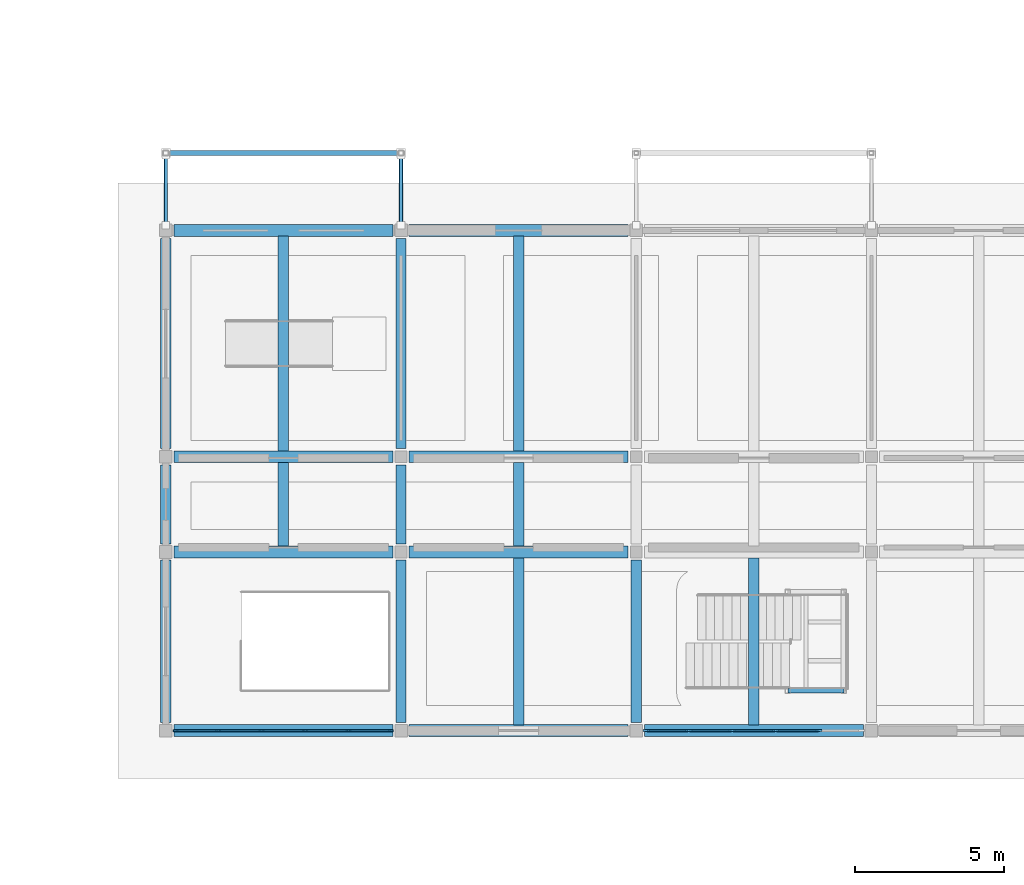
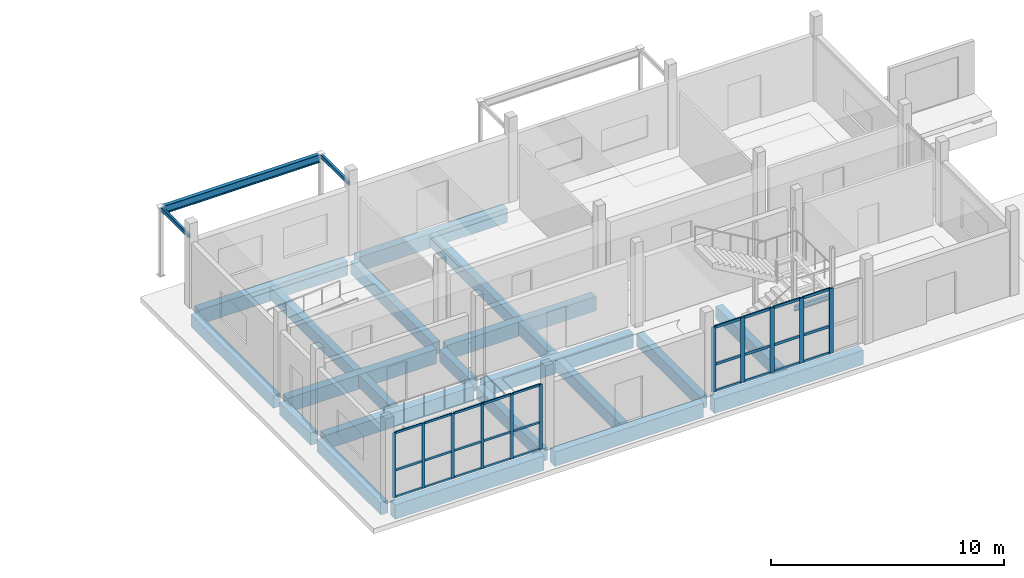
# One storey, part 23 of 92: 38 members, 26 beams, 2 elements without a shape of their own.
"""IFC4 building model written with IfcOpenShell, lengths in metres."""

from ifc_helpers import new_model, si_unit, direction, frame, origin, origin_2d, place, context, subcontext, project, spatial, rectangle, hollow_rectangle, i_section, extrude, material, layer, layer_set, material_profile, profile_set, type_object, element, aggregate, save


model = new_model("IFC4")

# Units and contexts
model_context = context("Model", 3, precision=1e-05, world=origin(), true_north=direction((0.0, 1.0)))
body_context = subcontext(model_context, "Body", "Model", "MODEL_VIEW")
ifc_project = project(units=[si_unit("LENGTHUNIT", "METRE"), si_unit("AREAUNIT", "SQUARE_METRE"), si_unit("VOLUMEUNIT", "CUBIC_METRE"), si_unit("PLANEANGLEUNIT", "RADIAN"), si_unit("MASSUNIT", "GRAM", prefix="KILO")], contexts=[model_context])

# Site, building, storey
site_placement = place(None, origin())
site = spatial("IfcSite", under=ifc_project, at=site_placement, CompositionType="ELEMENT")
building_placement = place(site_placement, origin())
building = spatial("IfcBuilding", under=site, at=building_placement, Name="Caldaven Crescent School", CompositionType="ELEMENT")
storey_placement = place(building_placement, origin())
storey = spatial("IfcBuildingStorey", under=building, at=storey_placement, Name="L00", CompositionType="ELEMENT", Elevation=0.0)

# Beams
ifc_material_1 = material(Name="Concrete C30/37", Category="concrete")
ifc_material_profile_1 = material_profile(ifc_material_1, rectangle(XDim=0.35009765625, YDim=0.64990234375, at=origin_2d()), Name="RC 350x650")
ifc_profile_set_1 = profile_set([ifc_material_profile_1], Name="Concrete C30/37")
beam_type_1 = type_object("IfcBeamType", Name="BM-RC35", PredefinedType="BEAM", material=ifc_profile_set_1)
beam_1_placement = place(storey_placement, frame((25.5, 4.469970703125, -0.5849609375), z_axis=(0.0, 1.0, 0.0), x_axis=(-1.0, 0.0, 0.0)))
element("IfcBeam", 1, at=beam_1_placement, inside=storey, type_object=beam_type_1, Name="BMY-V4S-L00-0562", PredefinedType="BEAM", context=body_context, shape_type="SweptSolid", body=[
    extrude(rectangle(XDim=0.35009765625, YDim=0.64990234375, at=origin_2d()), origin(), (0.0, 0.0, 1.0), 5.4599609375),
])
beam_2_placement = place(storey_placement, frame((25.5, 10.469970703125, -0.5849609375), z_axis=(0.0, 1.0, 0.0), x_axis=(-1.0, 0.0, 0.0)))
element("IfcBeam", 2, at=beam_2_placement, inside=storey, type_object=beam_type_1, Name="BMY-V4S-L00-0563", PredefinedType="BEAM", context=body_context, shape_type="SweptSolid", body=[
    extrude(rectangle(XDim=0.35009765625, YDim=0.64990234375, at=origin_2d()), origin(), (0.0, 0.0, 1.0), 2.659912109375),
])
beam_3_placement = place(storey_placement, frame((25.5, 13.669921875, -0.5849609375), z_axis=(0.0, 1.0, 0.0), x_axis=(-1.0, 0.0, 0.0)))
element("IfcBeam", 3, at=beam_3_placement, inside=storey, type_object=beam_type_1, Name="BMY-V4S-L00-0564", PredefinedType="BEAM", context=body_context, shape_type="SweptSolid", body=[
    extrude(rectangle(XDim=0.35009765625, YDim=0.64990234375, at=origin_2d()), origin(), (0.0, 0.0, 1.0), 7.06005859375),
])
beam_4_placement = place(storey_placement, frame((33.39990234375, 4.469970703125, -0.5849609375), z_axis=(0.0, 1.0, 0.0), x_axis=(-1.0, 0.0, 0.0)))
element("IfcBeam", 4, at=beam_4_placement, inside=storey, type_object=beam_type_1, Name="BMY-V4S-L00-0565", PredefinedType="BEAM", context=body_context, shape_type="SweptSolid", body=[
    extrude(rectangle(XDim=0.35009765625, YDim=0.64990234375, at=origin_2d()), origin(), (0.0, 0.0, 1.0), 5.4599609375),
])
beam_5_placement = place(storey_placement, frame((33.39990234375, 10.469970703125, -0.5849609375), z_axis=(0.0, 1.0, 0.0), x_axis=(-1.0, 0.0, 0.0)))
element("IfcBeam", 5, at=beam_5_placement, inside=storey, type_object=beam_type_1, Name="BMY-V4S-L00-0566", PredefinedType="BEAM", context=body_context, shape_type="SweptSolid", body=[
    extrude(rectangle(XDim=0.35009765625, YDim=0.64990234375, at=origin_2d()), origin(), (0.0, 0.0, 1.0), 2.659912109375),
])
beam_6_placement = place(storey_placement, frame((33.39990234375, 13.669921875, -0.5849609375), z_axis=(0.0, 1.0, 0.0), x_axis=(-1.0, 0.0, 0.0)))
element("IfcBeam", 6, at=beam_6_placement, inside=storey, type_object=beam_type_1, Name="BMY-V4S-L00-0567", PredefinedType="BEAM", context=body_context, shape_type="SweptSolid", body=[
    extrude(rectangle(XDim=0.35009765625, YDim=0.64990234375, at=origin_2d()), origin(), (0.0, 0.0, 1.0), 7.06005859375),
])
beam_7_placement = place(storey_placement, frame((41.300048828125, 4.469970703125, -0.5849609375), z_axis=(0.0, 1.0, 0.0), x_axis=(-1.0, 0.0, 0.0)))
element("IfcBeam", 7, at=beam_7_placement, inside=storey, type_object=beam_type_1, Name="BMY-V4S-L00-0568", PredefinedType="BEAM", context=body_context, shape_type="SweptSolid", body=[
    extrude(rectangle(XDim=0.35009765625, YDim=0.64990234375, at=origin_2d()), origin(), (0.0, 0.0, 1.0), 5.4599609375),
])
beam_8_placement = place(storey_placement, frame((29.449951171875, 10.39501953125, -0.5849609375), z_axis=(0.0, 1.0, 0.0), x_axis=(-1.0, 0.0, 0.0)))
element("IfcBeam", 8, at=beam_8_placement, inside=storey, type_object=beam_type_1, Name="JS-V4S-L00-0577", PredefinedType="BEAM", context=body_context, shape_type="SweptSolid", body=[
    extrude(rectangle(XDim=0.35009765625, YDim=0.64990234375, at=origin_2d()), origin(), (0.0, 0.0, 1.0), 2.81005859375),
])
beam_9_placement = place(storey_placement, frame((29.449951171875, 13.594970703125, -0.5849609375), z_axis=(0.0, 1.0, 0.0), x_axis=(-1.0, 0.0, 0.0)))
element("IfcBeam", 9, at=beam_9_placement, inside=storey, type_object=beam_type_1, Name="JS-V4S-L00-0578", PredefinedType="BEAM", context=body_context, shape_type="SweptSolid", body=[
    extrude(rectangle(XDim=0.35009765625, YDim=0.64990234375, at=origin_2d()), origin(), (0.0, 0.0, 1.0), 7.2099609375),
])
beam_10_placement = place(storey_placement, frame((37.35009765625, 4.39501953125, -0.5849609375), z_axis=(0.0, 1.0, 0.0), x_axis=(-1.0, 0.0, 0.0)))
element("IfcBeam", 10, at=beam_10_placement, inside=storey, type_object=beam_type_1, Name="JS-V4S-L00-0579", PredefinedType="BEAM", context=body_context, shape_type="SweptSolid", body=[
    extrude(rectangle(XDim=0.35009765625, YDim=0.64990234375, at=origin_2d()), origin(), (0.0, 0.0, 1.0), 5.60986328125),
])
beam_11_placement = place(storey_placement, frame((37.35009765625, 10.39501953125, -0.5849609375), z_axis=(0.0, 1.0, 0.0), x_axis=(-1.0, 0.0, 0.0)))
element("IfcBeam", 11, at=beam_11_placement, inside=storey, type_object=beam_type_1, Name="JS-V4S-L00-0580", PredefinedType="BEAM", context=body_context, shape_type="SweptSolid", body=[
    extrude(rectangle(XDim=0.35009765625, YDim=0.64990234375, at=origin_2d()), origin(), (0.0, 0.0, 1.0), 2.81005859375),
])
beam_12_placement = place(storey_placement, frame((37.35009765625, 13.594970703125, -0.5849609375), z_axis=(0.0, 1.0, 0.0), x_axis=(-1.0, 0.0, 0.0)))
element("IfcBeam", 12, at=beam_12_placement, inside=storey, type_object=beam_type_1, Name="JS-V4S-L00-0581", PredefinedType="BEAM", context=body_context, shape_type="SweptSolid", body=[
    extrude(rectangle(XDim=0.35009765625, YDim=0.64990234375, at=origin_2d()), origin(), (0.0, 0.0, 1.0), 7.2099609375),
])
beam_13_placement = place(storey_placement, frame((45.25, 4.39501953125, -0.5849609375), z_axis=(0.0, 1.0, 0.0), x_axis=(-1.0, 0.0, 0.0)))
element("IfcBeam", 13, at=beam_13_placement, inside=storey, type_object=beam_type_1, Name="JS-V4S-L00-0582", PredefinedType="BEAM", context=body_context, shape_type="SweptSolid", body=[
    extrude(rectangle(XDim=0.35009765625, YDim=0.64990234375, at=origin_2d()), origin(), (0.0, 0.0, 1.0), 5.60986328125),
])
ifc_material_2 = material(Name="Concrete C35/45", Category="concrete")
ifc_material_profile_2 = material_profile(ifc_material_2, rectangle(XDim=0.39990234375, YDim=0.75, at=origin_2d()), Name="RC 400x750")
ifc_profile_set_2 = profile_set([ifc_material_profile_2], Name="Concrete C35/45")
beam_type_2 = type_object("IfcBeamType", Name="BM-RC40", PredefinedType="BEAM", material=ifc_profile_set_2)
beam_14_placement = place(storey_placement, frame((25.77001953125, 4.199951171875, -0.635009765625), z_axis=(1.0, 0.0, 0.0), x_axis=(0.0, 1.0, 0.0)))
element("IfcBeam", 14, at=beam_14_placement, inside=storey, type_object=beam_type_2, Name="BMX-V4S-L00-0546", PredefinedType="BEAM", context=body_context, shape_type="SweptSolid", body=[
    extrude(rectangle(XDim=0.39990234375, YDim=0.75, at=origin_2d()), origin(), (0.0, 0.0, 1.0), 7.35986328125),
])
beam_15_placement = place(storey_placement, frame((33.669921875, 4.199951171875, -0.635009765625), z_axis=(1.0, 0.0, 0.0), x_axis=(0.0, 1.0, 0.0)))
element("IfcBeam", 15, at=beam_15_placement, inside=storey, type_object=beam_type_2, Name="BMX-V4S-L00-0547", PredefinedType="BEAM", context=body_context, shape_type="SweptSolid", body=[
    extrude(rectangle(XDim=0.39990234375, YDim=0.75, at=origin_2d()), origin(), (0.0, 0.0, 1.0), 7.360107421875),
])
for number, where, z_axis, x_axis, name in (
    (16, (41.570068359375, 4.199951171875, -0.635009765625), (1.0, 0.0, 0.0), (0.0, 1.0, 0.0), "BMX-V4S-L00-0548"),
    (17, (25.77001953125, 10.199951171875, -0.635009765625), (1.0, 0.0, 0.0), (0.0, 1.0, 0.0), "BMX-V4S-L00-0550"),
):
    element("IfcBeam", number, at=place(storey_placement, frame(where, z_axis=z_axis, x_axis=x_axis)), inside=storey, type_object=beam_type_2, Name=name, PredefinedType="BEAM", context=body_context, shape_type="SweptSolid", body=[
        extrude(rectangle(XDim=0.39990234375, YDim=0.75, at=origin_2d()), origin(), (0.0, 0.0, 1.0), 7.35986328125),
    ])
beam_16_placement = place(storey_placement, frame((33.669921875, 10.199951171875, -0.635009765625), z_axis=(1.0, 0.0, 0.0), x_axis=(0.0, 1.0, 0.0)))
element("IfcBeam", 18, at=beam_16_placement, inside=storey, type_object=beam_type_2, Name="BMX-V4S-L00-0551", PredefinedType="BEAM", context=body_context, shape_type="SweptSolid", body=[
    extrude(rectangle(XDim=0.39990234375, YDim=0.75, at=origin_2d()), origin(), (0.0, 0.0, 1.0), 7.360107421875),
])
beam_17_placement = place(storey_placement, frame((25.77001953125, 13.39990234375, -0.635009765625), z_axis=(1.0, 0.0, 0.0), x_axis=(0.0, 1.0, 0.0)))
element("IfcBeam", 19, at=beam_17_placement, inside=storey, type_object=beam_type_2, Name="BMX-V4S-L00-0554", PredefinedType="BEAM", context=body_context, shape_type="SweptSolid", body=[
    extrude(rectangle(XDim=0.39990234375, YDim=0.75, at=origin_2d()), origin(), (0.0, 0.0, 1.0), 7.35986328125),
])
beam_18_placement = place(storey_placement, frame((33.669921875, 13.39990234375, -0.635009765625), z_axis=(1.0, 0.0, 0.0), x_axis=(0.0, 1.0, 0.0)))
element("IfcBeam", 20, at=beam_18_placement, inside=storey, type_object=beam_type_2, Name="BMX-V4S-L00-0555", PredefinedType="BEAM", context=body_context, shape_type="SweptSolid", body=[
    extrude(rectangle(XDim=0.39990234375, YDim=0.75, at=origin_2d()), origin(), (0.0, 0.0, 1.0), 7.360107421875),
])
beam_19_placement = place(storey_placement, frame((25.77001953125, 21.0, -0.635009765625), z_axis=(1.0, 0.0, 0.0), x_axis=(0.0, 1.0, 0.0)))
element("IfcBeam", 21, at=beam_19_placement, inside=storey, type_object=beam_type_2, Name="BMX-V4S-L00-0558", PredefinedType="BEAM", context=body_context, shape_type="SweptSolid", body=[
    extrude(rectangle(XDim=0.39990234375, YDim=0.75, at=origin_2d()), origin(), (0.0, 0.0, 1.0), 7.35986328125),
])
beam_20_placement = place(storey_placement, frame((33.669921875, 21.0, -0.635009765625), z_axis=(1.0, 0.0, 0.0), x_axis=(0.0, 1.0, 0.0)))
element("IfcBeam", 22, at=beam_20_placement, inside=storey, type_object=beam_type_2, Name="BMX-V4S-L00-0559", PredefinedType="BEAM", context=body_context, shape_type="SweptSolid", body=[
    extrude(rectangle(XDim=0.39990234375, YDim=0.75, at=origin_2d()), origin(), (0.0, 0.0, 1.0), 7.360107421875),
])
ifc_material_3 = material(Name="Steel ASTM A572 Grade 50", Category="steel")
ifc_material_profile_3 = material_profile(ifc_material_3, i_section(OverallWidth=0.14599609375, OverallDepth=0.258056640625, WebThickness=0.006103515625, FlangeThickness=0.009033203125, FilletRadius=0.011962890625, at=origin_2d()), Name="W250x33")
ifc_profile_set_3 = profile_set([ifc_material_profile_3], Name="Steel ASTM A572 Grade 50")
beam_type_3 = type_object("IfcBeamType", Name="BM-W25", PredefinedType="BEAM", material=ifc_profile_set_3)
beam_21_placement = place(storey_placement, frame((46.389892578125, 5.5400390625, 1.885986328125), z_axis=(1.0, 0.0, 0.0), x_axis=(0.0, 1.0, 0.0)))
element("IfcBeam", 23, at=beam_21_placement, inside=storey, type_object=beam_type_3, Name="BM-STSIDE-STV4S-L00-SL", PredefinedType="BEAM", context=body_context, shape_type="SweptSolid", body=[
    extrude(i_section(OverallWidth=0.14599609375, OverallDepth=0.258056640625, WebThickness=0.006103515625, FlangeThickness=0.009033203125, FilletRadius=0.011962890625, at=origin_2d()), origin(), (0.0, 0.0, 1.0), 1.880126953125),
])
ifc_material_profile_4 = material_profile(ifc_material_3, i_section(OverallWidth=0.180908203125, OverallDepth=0.4169921875, WebThickness=0.010986328125, FlangeThickness=0.018310546875, FilletRadius=0.014892578125, at=origin_2d()), Name="W410x85")
ifc_profile_set_4 = profile_set([ifc_material_profile_4], Name="Steel ASTM A572 Grade 50")
beam_type_4 = type_object("IfcBeamType", Name="BM-W41", PredefinedType="BEAM", material=ifc_profile_set_4)
beam_22_placement = place(storey_placement, frame((25.570068359375, 23.60009765625, 3.3916015625), z_axis=(1.0, 0.0, 0.0), x_axis=(0.0, 1.0, 0.0)))
element("IfcBeam", 24, at=beam_22_placement, inside=storey, type_object=beam_type_4, Name="BM-CAN-2-F-L00-0416", PredefinedType="BEAM", context=body_context, shape_type="SweptSolid", body=[
    extrude(i_section(OverallWidth=0.180908203125, OverallDepth=0.4169921875, WebThickness=0.010986328125, FlangeThickness=0.018310546875, FilletRadius=0.014892578125, at=origin_2d()), origin(), (0.0, 0.0, 1.0), 7.760009765625),
])

# Curtain wall, members
ifc_material_4 = material(Name="Anodised aluminium AA 6063-T6 and low-E double glazing", Category="aluminium")
ifc_layer_1 = layer(ifc_material_4, 0.169921875)
ifc_layer_set_1 = layer_set([ifc_layer_1], Name="Anodised aluminium AA 6063-T6 and low-E double glazing")
curtain_wall_type_1 = type_object("IfcCurtainWallType", Name="CW-SYS1", PredefinedType="NOTDEFINED", material=ifc_layer_set_1)
curtain_wall_1_placement = place(storey_placement, origin())
curtain_wall_1 = element("IfcCurtainWall", 25, at=curtain_wall_1_placement, inside=storey, type_object=curtain_wall_type_1, Name="CW-L00-090", PredefinedType="NOTDEFINED")
ifc_material_5 = material(Name="Anodised aluminium AA 6063-T6", Category="aluminium")
ifc_material_profile_5 = material_profile(ifc_material_5, rectangle(XDim=0.06005859375, YDim=0.14990234375, at=origin_2d()), Name="CWM 60x150")
ifc_profile_set_5 = profile_set([ifc_material_profile_5], Name="Anodised aluminium AA 6063-T6")
member_type_1 = type_object("IfcMemberType", Name="CWM-T1", PredefinedType="MULLION", material=ifc_profile_set_5)
member_1_placement = place(storey_placement, frame((25.830078125, 4.199951171875, 0.0), z_axis=(0.0, 0.0, 1.0), x_axis=(0.0, 1.0, 0.0)))
member_1 = element("IfcMember", 26, at=member_1_placement, type_object=member_type_1, Name="CW1 mullion 1", PredefinedType="MULLION", context=body_context, shape_type="SweptSolid", body=[
    extrude(rectangle(XDim=0.06005859375, YDim=0.14990234375, at=origin_2d()), origin(), (0.0, 0.0, 1.0), 3.39990234375),
])
member_2_placement = place(storey_placement, frame((27.260009765625, 4.199951171875, 0.0), z_axis=(0.0, 0.0, 1.0), x_axis=(0.0, 1.0, 0.0)))
member_2 = element("IfcMember", 27, at=member_2_placement, type_object=member_type_1, Name="CW1 mullion 2", PredefinedType="MULLION", context=body_context, shape_type="SweptSolid", body=[
    extrude(rectangle(XDim=0.06005859375, YDim=0.14990234375, at=origin_2d()), origin(), (0.0, 0.0, 1.0), 3.39990234375),
])
member_3_placement = place(storey_placement, frame((28.719970703125, 4.199951171875, 0.0), z_axis=(0.0, 0.0, 1.0), x_axis=(0.0, 1.0, 0.0)))
member_3 = element("IfcMember", 28, at=member_3_placement, type_object=member_type_1, Name="CW1 mullion 3", PredefinedType="MULLION", context=body_context, shape_type="SweptSolid", body=[
    extrude(rectangle(XDim=0.06005859375, YDim=0.14990234375, at=origin_2d()), origin(), (0.0, 0.0, 1.0), 3.39990234375),
])
member_4_placement = place(storey_placement, frame((30.179931640625, 4.199951171875, 0.0), z_axis=(0.0, 0.0, 1.0), x_axis=(0.0, 1.0, 0.0)))
member_4 = element("IfcMember", 29, at=member_4_placement, type_object=member_type_1, Name="CW1 mullion 4", PredefinedType="MULLION", context=body_context, shape_type="SweptSolid", body=[
    extrude(rectangle(XDim=0.06005859375, YDim=0.14990234375, at=origin_2d()), origin(), (0.0, 0.0, 1.0), 3.39990234375),
])
member_5_placement = place(storey_placement, frame((31.639892578125, 4.199951171875, 0.0), z_axis=(0.0, 0.0, 1.0), x_axis=(0.0, 1.0, 0.0)))
member_5 = element("IfcMember", 30, at=member_5_placement, type_object=member_type_1, Name="CW1 mullion 5", PredefinedType="MULLION", context=body_context, shape_type="SweptSolid", body=[
    extrude(rectangle(XDim=0.06005859375, YDim=0.14990234375, at=origin_2d()), origin(), (0.0, 0.0, 1.0), 3.39990234375),
])
member_6_placement = place(storey_placement, frame((33.070068359375, 4.199951171875, 0.0), z_axis=(0.0, 0.0, 1.0), x_axis=(0.0, 1.0, 0.0)))
member_6 = element("IfcMember", 31, at=member_6_placement, type_object=member_type_1, Name="CW1 mullion 6", PredefinedType="MULLION", context=body_context, shape_type="SweptSolid", body=[
    extrude(rectangle(XDim=0.06005859375, YDim=0.14990234375, at=origin_2d()), origin(), (0.0, 0.0, 1.0), 3.39990234375),
])

ifc_layer_2 = layer(ifc_material_4, 0.2099609375)
ifc_layer_set_2 = layer_set([ifc_layer_2], Name="Anodised aluminium AA 6063-T6 and low-E double glazing")
curtain_wall_type_2 = type_object("IfcCurtainWallType", Name="CW-SYS3", PredefinedType="NOTDEFINED", material=ifc_layer_set_2)
curtain_wall_2_placement = place(storey_placement, origin())
curtain_wall_2 = element("IfcCurtainWall", 32, at=curtain_wall_2_placement, inside=storey, type_object=curtain_wall_type_2, Name="CW-L00-091", PredefinedType="NOTDEFINED")
ifc_material_profile_6 = material_profile(ifc_material_5, rectangle(XDim=0.070068359375, YDim=0.2099609375, at=origin_2d()), Name="CWM 70x210")
ifc_profile_set_6 = profile_set([ifc_material_profile_6], Name="Anodised aluminium AA 6063-T6")
member_type_2 = type_object("IfcMemberType", Name="CWM-T3", PredefinedType="MULLION", material=ifc_profile_set_6)
member_7_placement = place(storey_placement, frame((41.635009765625, 4.199951171875, 0.0), z_axis=(0.0, 0.0, 1.0), x_axis=(0.0, 1.0, 0.0)))
member_7 = element("IfcMember", 33, at=member_7_placement, type_object=member_type_2, Name="CW3 mullion 1", PredefinedType="MULLION", context=body_context, shape_type="SweptSolid", body=[
    extrude(rectangle(XDim=0.070068359375, YDim=0.2099609375, at=origin_2d()), origin(), (0.0, 0.0, 1.0), 3.39990234375),
])
member_8_placement = place(storey_placement, frame((43.06005859375, 4.199951171875, 0.0), z_axis=(0.0, 0.0, 1.0), x_axis=(0.0, 1.0, 0.0)))
member_8 = element("IfcMember", 34, at=member_8_placement, type_object=member_type_2, Name="CW3 mullion 2", PredefinedType="MULLION", context=body_context, shape_type="SweptSolid", body=[
    extrude(rectangle(XDim=0.070068359375, YDim=0.2099609375, at=origin_2d()), origin(), (0.0, 0.0, 1.0), 3.39990234375),
])
member_9_placement = place(storey_placement, frame((44.52001953125, 4.199951171875, 0.0), z_axis=(0.0, 0.0, 1.0), x_axis=(0.0, 1.0, 0.0)))
member_9 = element("IfcMember", 35, at=member_9_placement, type_object=member_type_2, Name="CW3 mullion 3", PredefinedType="MULLION", context=body_context, shape_type="SweptSolid", body=[
    extrude(rectangle(XDim=0.070068359375, YDim=0.2099609375, at=origin_2d()), origin(), (0.0, 0.0, 1.0), 3.39990234375),
])
member_10_placement = place(storey_placement, frame((45.97998046875, 4.199951171875, 0.0), z_axis=(0.0, 0.0, 1.0), x_axis=(0.0, 1.0, 0.0)))
member_10 = element("IfcMember", 36, at=member_10_placement, type_object=member_type_2, Name="CW3 mullion 4", PredefinedType="MULLION", context=body_context, shape_type="SweptSolid", body=[
    extrude(rectangle(XDim=0.070068359375, YDim=0.2099609375, at=origin_2d()), origin(), (0.0, 0.0, 1.0), 3.39990234375),
])
member_11_placement = place(storey_placement, frame((47.43994140625, 4.199951171875, 0.0), z_axis=(0.0, 0.0, 1.0), x_axis=(0.0, 1.0, 0.0)))
member_11 = element("IfcMember", 37, at=member_11_placement, type_object=member_type_2, Name="CW3 mullion 5", PredefinedType="MULLION", context=body_context, shape_type="SweptSolid", body=[
    extrude(rectangle(XDim=0.070068359375, YDim=0.2099609375, at=origin_2d()), origin(), (0.0, 0.0, 1.0), 3.39990234375),
])

# Member
ifc_material_profile_7 = material_profile(ifc_material_5, rectangle(XDim=0.06005859375, YDim=0.1201171875, at=origin_2d()), Name="CWT 60x120")
ifc_profile_set_7 = profile_set([ifc_material_profile_7], Name="Anodised aluminium AA 6063-T6")
member_type_3 = type_object("IfcMemberType", Name="CWT-T1", PredefinedType="USERDEFINED", material=ifc_profile_set_7)
member_12_placement = place(storey_placement, frame((25.860107421875, 4.199951171875, 0.030029296875), z_axis=(1.0, 0.0, 0.0), x_axis=(0.0, 1.0, 0.0)))
member_12 = element("IfcMember", 38, at=member_12_placement, type_object=member_type_3, Name="CW1 transom 1.1", ObjectType="TRANSOM", PredefinedType="USERDEFINED", context=body_context, shape_type="SweptSolid", body=[
    extrude(rectangle(XDim=0.06005859375, YDim=0.1201171875, at=origin_2d()), origin(), (0.0, 0.0, 1.0), 1.369873046875),
])

member_13_placement = place(storey_placement, frame((25.860107421875, 4.199951171875, 1.427978515625), z_axis=(1.0, 0.0, 0.0), x_axis=(0.0, 1.0, 0.0)))
member_13 = element("IfcMember", 39, at=member_13_placement, type_object=member_type_3, Name="CW1 transom 1.2", ObjectType="TRANSOM", PredefinedType="USERDEFINED", context=body_context, shape_type="SweptSolid", body=[
    extrude(rectangle(XDim=0.06005859375, YDim=0.1201171875, at=origin_2d()), origin(), (0.0, 0.0, 1.0), 1.369873046875),
])

member_14_placement = place(storey_placement, frame((25.860107421875, 4.199951171875, 3.3701171875), z_axis=(1.0, 0.0, 0.0), x_axis=(0.0, 1.0, 0.0)))
member_14 = element("IfcMember", 40, at=member_14_placement, type_object=member_type_3, Name="CW1 transom 1.3", ObjectType="TRANSOM", PredefinedType="USERDEFINED", context=body_context, shape_type="SweptSolid", body=[
    extrude(rectangle(XDim=0.06005859375, YDim=0.1201171875, at=origin_2d()), origin(), (0.0, 0.0, 1.0), 1.369873046875),
])

member_15_placement = place(storey_placement, frame((27.2900390625, 4.199951171875, 0.030029296875), z_axis=(1.0, 0.0, 0.0), x_axis=(0.0, 1.0, 0.0)))
member_15 = element("IfcMember", 41, at=member_15_placement, type_object=member_type_3, Name="CW1 transom 2.1", ObjectType="TRANSOM", PredefinedType="USERDEFINED", context=body_context, shape_type="SweptSolid", body=[
    extrude(rectangle(XDim=0.06005859375, YDim=0.1201171875, at=origin_2d()), origin(), (0.0, 0.0, 1.0), 1.39990234375),
])

member_16_placement = place(storey_placement, frame((27.2900390625, 4.199951171875, 1.427978515625), z_axis=(1.0, 0.0, 0.0), x_axis=(0.0, 1.0, 0.0)))
member_16 = element("IfcMember", 42, at=member_16_placement, type_object=member_type_3, Name="CW1 transom 2.2", ObjectType="TRANSOM", PredefinedType="USERDEFINED", context=body_context, shape_type="SweptSolid", body=[
    extrude(rectangle(XDim=0.06005859375, YDim=0.1201171875, at=origin_2d()), origin(), (0.0, 0.0, 1.0), 1.39990234375),
])

member_17_placement = place(storey_placement, frame((27.2900390625, 4.199951171875, 3.3701171875), z_axis=(1.0, 0.0, 0.0), x_axis=(0.0, 1.0, 0.0)))
member_17 = element("IfcMember", 43, at=member_17_placement, type_object=member_type_3, Name="CW1 transom 2.3", ObjectType="TRANSOM", PredefinedType="USERDEFINED", context=body_context, shape_type="SweptSolid", body=[
    extrude(rectangle(XDim=0.06005859375, YDim=0.1201171875, at=origin_2d()), origin(), (0.0, 0.0, 1.0), 1.39990234375),
])

member_18_placement = place(storey_placement, frame((28.75, 4.199951171875, 0.030029296875), z_axis=(1.0, 0.0, 0.0), x_axis=(0.0, 1.0, 0.0)))
member_18 = element("IfcMember", 44, at=member_18_placement, type_object=member_type_3, Name="CW1 transom 3.1", ObjectType="TRANSOM", PredefinedType="USERDEFINED", context=body_context, shape_type="SweptSolid", body=[
    extrude(rectangle(XDim=0.06005859375, YDim=0.1201171875, at=origin_2d()), origin(), (0.0, 0.0, 1.0), 1.39990234375),
])

member_19_placement = place(storey_placement, frame((28.75, 4.199951171875, 1.427978515625), z_axis=(1.0, 0.0, 0.0), x_axis=(0.0, 1.0, 0.0)))
member_19 = element("IfcMember", 45, at=member_19_placement, type_object=member_type_3, Name="CW1 transom 3.2", ObjectType="TRANSOM", PredefinedType="USERDEFINED", context=body_context, shape_type="SweptSolid", body=[
    extrude(rectangle(XDim=0.06005859375, YDim=0.1201171875, at=origin_2d()), origin(), (0.0, 0.0, 1.0), 1.39990234375),
])

member_20_placement = place(storey_placement, frame((28.75, 4.199951171875, 3.3701171875), z_axis=(1.0, 0.0, 0.0), x_axis=(0.0, 1.0, 0.0)))
member_20 = element("IfcMember", 46, at=member_20_placement, type_object=member_type_3, Name="CW1 transom 3.3", ObjectType="TRANSOM", PredefinedType="USERDEFINED", context=body_context, shape_type="SweptSolid", body=[
    extrude(rectangle(XDim=0.06005859375, YDim=0.1201171875, at=origin_2d()), origin(), (0.0, 0.0, 1.0), 1.39990234375),
])

member_21_placement = place(storey_placement, frame((30.2099609375, 4.199951171875, 0.030029296875), z_axis=(1.0, 0.0, 0.0), x_axis=(0.0, 1.0, 0.0)))
member_21 = element("IfcMember", 47, at=member_21_placement, type_object=member_type_3, Name="CW1 transom 4.1", ObjectType="TRANSOM", PredefinedType="USERDEFINED", context=body_context, shape_type="SweptSolid", body=[
    extrude(rectangle(XDim=0.06005859375, YDim=0.1201171875, at=origin_2d()), origin(), (0.0, 0.0, 1.0), 1.400146484375),
])

member_22_placement = place(storey_placement, frame((30.2099609375, 4.199951171875, 1.427978515625), z_axis=(1.0, 0.0, 0.0), x_axis=(0.0, 1.0, 0.0)))
member_22 = element("IfcMember", 48, at=member_22_placement, type_object=member_type_3, Name="CW1 transom 4.2", ObjectType="TRANSOM", PredefinedType="USERDEFINED", context=body_context, shape_type="SweptSolid", body=[
    extrude(rectangle(XDim=0.06005859375, YDim=0.1201171875, at=origin_2d()), origin(), (0.0, 0.0, 1.0), 1.400146484375),
])

member_23_placement = place(storey_placement, frame((30.2099609375, 4.199951171875, 3.3701171875), z_axis=(1.0, 0.0, 0.0), x_axis=(0.0, 1.0, 0.0)))
member_23 = element("IfcMember", 49, at=member_23_placement, type_object=member_type_3, Name="CW1 transom 4.3", ObjectType="TRANSOM", PredefinedType="USERDEFINED", context=body_context, shape_type="SweptSolid", body=[
    extrude(rectangle(XDim=0.06005859375, YDim=0.1201171875, at=origin_2d()), origin(), (0.0, 0.0, 1.0), 1.400146484375),
])

member_24_placement = place(storey_placement, frame((31.669921875, 4.199951171875, 0.030029296875), z_axis=(1.0, 0.0, 0.0), x_axis=(0.0, 1.0, 0.0)))
member_24 = element("IfcMember", 50, at=member_24_placement, type_object=member_type_3, Name="CW1 transom 5.1", ObjectType="TRANSOM", PredefinedType="USERDEFINED", context=body_context, shape_type="SweptSolid", body=[
    extrude(rectangle(XDim=0.06005859375, YDim=0.1201171875, at=origin_2d()), origin(), (0.0, 0.0, 1.0), 1.3701171875),
])

member_25_placement = place(storey_placement, frame((31.669921875, 4.199951171875, 1.427978515625), z_axis=(1.0, 0.0, 0.0), x_axis=(0.0, 1.0, 0.0)))
member_25 = element("IfcMember", 51, at=member_25_placement, type_object=member_type_3, Name="CW1 transom 5.2", ObjectType="TRANSOM", PredefinedType="USERDEFINED", context=body_context, shape_type="SweptSolid", body=[
    extrude(rectangle(XDim=0.06005859375, YDim=0.1201171875, at=origin_2d()), origin(), (0.0, 0.0, 1.0), 1.3701171875),
])

member_26_placement = place(storey_placement, frame((31.669921875, 4.199951171875, 3.3701171875), z_axis=(1.0, 0.0, 0.0), x_axis=(0.0, 1.0, 0.0)))
member_26 = element("IfcMember", 52, at=member_26_placement, type_object=member_type_3, Name="CW1 transom 5.3", ObjectType="TRANSOM", PredefinedType="USERDEFINED", context=body_context, shape_type="SweptSolid", body=[
    extrude(rectangle(XDim=0.06005859375, YDim=0.1201171875, at=origin_2d()), origin(), (0.0, 0.0, 1.0), 1.3701171875),
])

aggregate(curtain_wall_1, [member_1, member_2, member_3, member_4, member_5, member_6, member_12, member_13, member_14, member_15, member_16, member_17, member_18, member_19, member_20, member_21, member_22, member_23, member_24, member_25, member_26])

ifc_material_profile_8 = material_profile(ifc_material_5, rectangle(XDim=0.06494140625, YDim=0.139892578125, at=origin_2d()), Name="CWT 65x140")
ifc_profile_set_8 = profile_set([ifc_material_profile_8], Name="Anodised aluminium AA 6063-T6")
member_type_4 = type_object("IfcMemberType", Name="CWT-T2", PredefinedType="USERDEFINED", material=ifc_profile_set_8)
member_27_placement = place(storey_placement, frame((41.669921875, 4.199951171875, 0.032470703125), z_axis=(1.0, 0.0, 0.0), x_axis=(0.0, 1.0, 0.0)))
member_27 = element("IfcMember", 53, at=member_27_placement, type_object=member_type_4, Name="CW3 transom 1.1", ObjectType="TRANSOM", PredefinedType="USERDEFINED", context=body_context, shape_type="SweptSolid", body=[
    extrude(rectangle(XDim=0.06494140625, YDim=0.139892578125, at=origin_2d()), origin(), (0.0, 0.0, 1.0), 1.35498046875),
])

member_28_placement = place(storey_placement, frame((41.669921875, 4.199951171875, 1.427978515625), z_axis=(1.0, 0.0, 0.0), x_axis=(0.0, 1.0, 0.0)))
member_28 = element("IfcMember", 54, at=member_28_placement, type_object=member_type_4, Name="CW3 transom 1.2", ObjectType="TRANSOM", PredefinedType="USERDEFINED", context=body_context, shape_type="SweptSolid", body=[
    extrude(rectangle(XDim=0.06494140625, YDim=0.139892578125, at=origin_2d()), origin(), (0.0, 0.0, 1.0), 1.35498046875),
])

member_29_placement = place(storey_placement, frame((41.669921875, 4.199951171875, 3.367431640625), z_axis=(1.0, 0.0, 0.0), x_axis=(0.0, 1.0, 0.0)))
member_29 = element("IfcMember", 55, at=member_29_placement, type_object=member_type_4, Name="CW3 transom 1.3", ObjectType="TRANSOM", PredefinedType="USERDEFINED", context=body_context, shape_type="SweptSolid", body=[
    extrude(rectangle(XDim=0.06494140625, YDim=0.139892578125, at=origin_2d()), origin(), (0.0, 0.0, 1.0), 1.35498046875),
])

member_30_placement = place(storey_placement, frame((43.094970703125, 4.199951171875, 0.032470703125), z_axis=(1.0, 0.0, 0.0), x_axis=(0.0, 1.0, 0.0)))
member_30 = element("IfcMember", 56, at=member_30_placement, type_object=member_type_4, Name="CW3 transom 2.1", ObjectType="TRANSOM", PredefinedType="USERDEFINED", context=body_context, shape_type="SweptSolid", body=[
    extrude(rectangle(XDim=0.06494140625, YDim=0.139892578125, at=origin_2d()), origin(), (0.0, 0.0, 1.0), 1.39013671875),
])

member_31_placement = place(storey_placement, frame((43.094970703125, 4.199951171875, 1.427978515625), z_axis=(1.0, 0.0, 0.0), x_axis=(0.0, 1.0, 0.0)))
member_31 = element("IfcMember", 57, at=member_31_placement, type_object=member_type_4, Name="CW3 transom 2.2", ObjectType="TRANSOM", PredefinedType="USERDEFINED", context=body_context, shape_type="SweptSolid", body=[
    extrude(rectangle(XDim=0.06494140625, YDim=0.139892578125, at=origin_2d()), origin(), (0.0, 0.0, 1.0), 1.39013671875),
])

member_32_placement = place(storey_placement, frame((43.094970703125, 4.199951171875, 3.367431640625), z_axis=(1.0, 0.0, 0.0), x_axis=(0.0, 1.0, 0.0)))
member_32 = element("IfcMember", 58, at=member_32_placement, type_object=member_type_4, Name="CW3 transom 2.3", ObjectType="TRANSOM", PredefinedType="USERDEFINED", context=body_context, shape_type="SweptSolid", body=[
    extrude(rectangle(XDim=0.06494140625, YDim=0.139892578125, at=origin_2d()), origin(), (0.0, 0.0, 1.0), 1.39013671875),
])

member_33_placement = place(storey_placement, frame((44.554931640625, 4.199951171875, 0.032470703125), z_axis=(1.0, 0.0, 0.0), x_axis=(0.0, 1.0, 0.0)))
member_33 = element("IfcMember", 59, at=member_33_placement, type_object=member_type_4, Name="CW3 transom 3.1", ObjectType="TRANSOM", PredefinedType="USERDEFINED", context=body_context, shape_type="SweptSolid", body=[
    extrude(rectangle(XDim=0.06494140625, YDim=0.139892578125, at=origin_2d()), origin(), (0.0, 0.0, 1.0), 1.39013671875),
])

member_34_placement = place(storey_placement, frame((44.554931640625, 4.199951171875, 1.427978515625), z_axis=(1.0, 0.0, 0.0), x_axis=(0.0, 1.0, 0.0)))
member_34 = element("IfcMember", 60, at=member_34_placement, type_object=member_type_4, Name="CW3 transom 3.2", ObjectType="TRANSOM", PredefinedType="USERDEFINED", context=body_context, shape_type="SweptSolid", body=[
    extrude(rectangle(XDim=0.06494140625, YDim=0.139892578125, at=origin_2d()), origin(), (0.0, 0.0, 1.0), 1.39013671875),
])

member_35_placement = place(storey_placement, frame((44.554931640625, 4.199951171875, 3.367431640625), z_axis=(1.0, 0.0, 0.0), x_axis=(0.0, 1.0, 0.0)))
member_35 = element("IfcMember", 61, at=member_35_placement, type_object=member_type_4, Name="CW3 transom 3.3", ObjectType="TRANSOM", PredefinedType="USERDEFINED", context=body_context, shape_type="SweptSolid", body=[
    extrude(rectangle(XDim=0.06494140625, YDim=0.139892578125, at=origin_2d()), origin(), (0.0, 0.0, 1.0), 1.39013671875),
])

member_36_placement = place(storey_placement, frame((46.014892578125, 4.199951171875, 0.032470703125), z_axis=(1.0, 0.0, 0.0), x_axis=(0.0, 1.0, 0.0)))
member_36 = element("IfcMember", 62, at=member_36_placement, type_object=member_type_4, Name="CW3 transom 4.1", ObjectType="TRANSOM", PredefinedType="USERDEFINED", context=body_context, shape_type="SweptSolid", body=[
    extrude(rectangle(XDim=0.06494140625, YDim=0.139892578125, at=origin_2d()), origin(), (0.0, 0.0, 1.0), 1.39013671875),
])

member_37_placement = place(storey_placement, frame((46.014892578125, 4.199951171875, 1.427978515625), z_axis=(1.0, 0.0, 0.0), x_axis=(0.0, 1.0, 0.0)))
member_37 = element("IfcMember", 63, at=member_37_placement, type_object=member_type_4, Name="CW3 transom 4.2", ObjectType="TRANSOM", PredefinedType="USERDEFINED", context=body_context, shape_type="SweptSolid", body=[
    extrude(rectangle(XDim=0.06494140625, YDim=0.139892578125, at=origin_2d()), origin(), (0.0, 0.0, 1.0), 1.39013671875),
])

member_38_placement = place(storey_placement, frame((46.014892578125, 4.199951171875, 3.367431640625), z_axis=(1.0, 0.0, 0.0), x_axis=(0.0, 1.0, 0.0)))
member_38 = element("IfcMember", 64, at=member_38_placement, type_object=member_type_4, Name="CW3 transom 4.3", ObjectType="TRANSOM", PredefinedType="USERDEFINED", context=body_context, shape_type="SweptSolid", body=[
    extrude(rectangle(XDim=0.06494140625, YDim=0.139892578125, at=origin_2d()), origin(), (0.0, 0.0, 1.0), 1.39013671875),
])

aggregate(curtain_wall_2, [member_7, member_8, member_9, member_10, member_11, member_27, member_28, member_29, member_30, member_31, member_32, member_33, member_34, member_35, member_36, member_37, member_38])

# Beams
ifc_material_profile_9 = material_profile(ifc_material_3, hollow_rectangle(XDim=0.1201171875, YDim=0.199951171875, WallThickness=0.008056640625, InnerFilletRadius=0.008056640625, OuterFilletRadius=0.01611328125, at=origin_2d()), Name="HSS 120x200x8")
ifc_profile_set_9 = profile_set([ifc_material_profile_9], Name="Steel ASTM A572 Grade 50")
beam_type_5 = type_object("IfcBeamType", Name="JS-HS20", PredefinedType="JOIST", material=ifc_profile_set_9)
for number, where, z_axis, x_axis, name in (
    (65, (25.5, 21.179931640625, 3.5), (0.0, 1.0, 0.0), (-1.0, 0.0, 0.0), "BM-CAN-2-W-L00-0417"),
    (66, (33.39990234375, 21.179931640625, 3.5), (0.0, 1.0, 0.0), (-1.0, 0.0, 0.0), "BM-CAN-2-E-L00-0418"),
):
    element("IfcBeam", number, at=place(storey_placement, frame(where, z_axis=z_axis, x_axis=x_axis)), inside=storey, type_object=beam_type_5, Name=name, PredefinedType="JOIST", context=body_context, shape_type="SweptSolid", body=[
        extrude(hollow_rectangle(XDim=0.1201171875, YDim=0.199951171875, WallThickness=0.008056640625, InnerFilletRadius=0.008056640625, OuterFilletRadius=0.01611328125, at=origin_2d()), origin(), (0.0, 0.0, 1.0), 2.35009765625),
    ])

save(model, "model.ifc")
